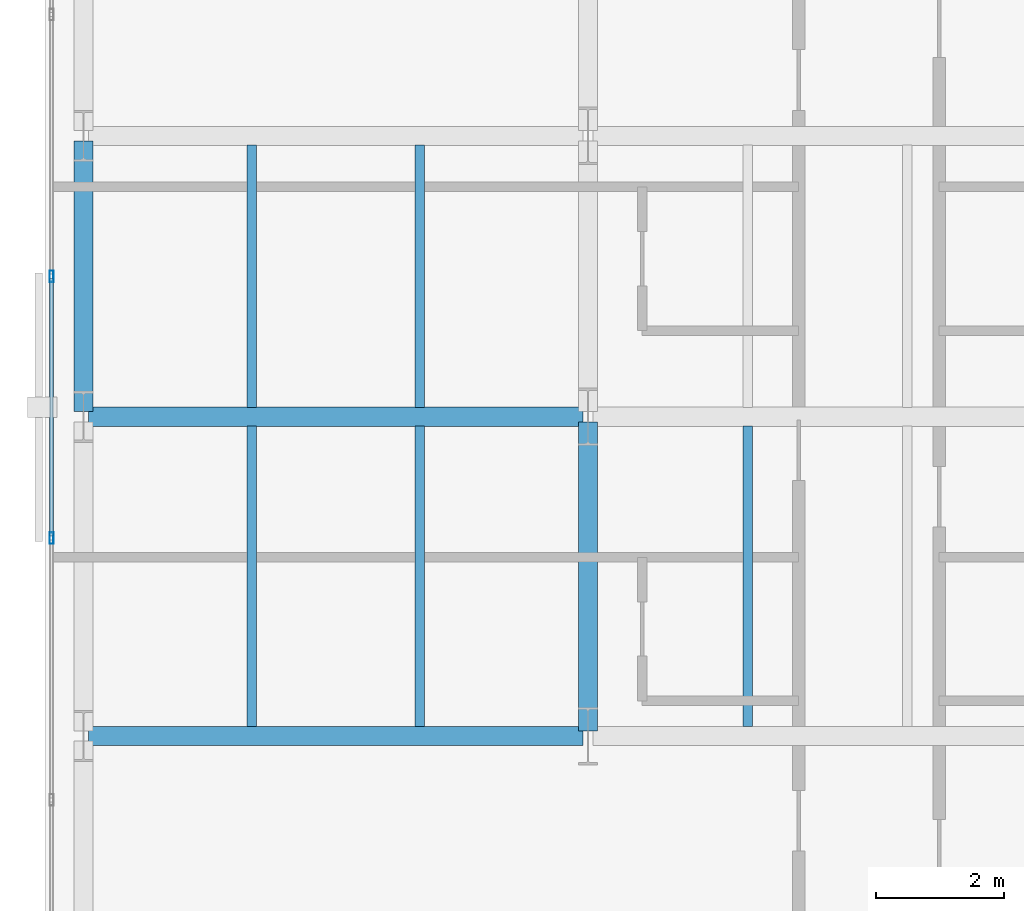
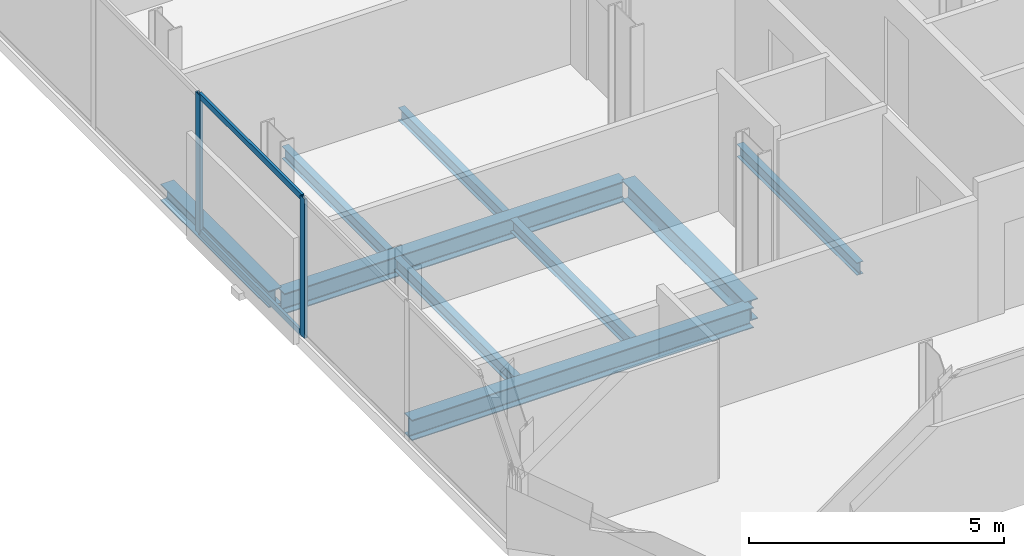
# One storey, part 5 of 33: 9 beams, 4 members, 1 element without a shape of its own.
"""IFC4 building model written with IfcOpenShell, lengths in metres."""

from ifc_helpers import new_model, si_unit, direction, frame, origin, origin_2d, place, context, subcontext, project, spatial, hollow_rectangle, i_section, extrude, material, layer, layer_set, material_profile, profile_set, type_object, element, aggregate, save


model = new_model("IFC4")

# Units and contexts
model_context = context("Model", 3, precision=1e-05, world=origin(), true_north=direction((0.0, 1.0)))
body_context = subcontext(model_context, "Body", "Model", "MODEL_VIEW")
ifc_project = project(units=[si_unit("LENGTHUNIT", "METRE"), si_unit("AREAUNIT", "SQUARE_METRE"), si_unit("VOLUMEUNIT", "CUBIC_METRE"), si_unit("PLANEANGLEUNIT", "RADIAN"), si_unit("MASSUNIT", "GRAM", prefix="KILO")], contexts=[model_context])

# Site, building, storey
site_placement = place(None, origin())
site = spatial("IfcSite", under=ifc_project, at=site_placement, CompositionType="ELEMENT")
building_placement = place(site_placement, origin())
building = spatial("IfcBuilding", under=site, at=building_placement, Name="Catumbela Crestline Tower", CompositionType="ELEMENT")
storey_placement = place(building_placement, frame((0.0, 0.0, 72.6)))
storey = spatial("IfcBuildingStorey", under=building, at=storey_placement, Name="L18", CompositionType="ELEMENT", Elevation=72.6)

# Beams
ifc_material_1 = material(Name="Structural steel S355J2", Category="steel")
ifc_material_profile_1 = material_profile(ifc_material_1, i_section(OverallWidth=0.3, OverallDepth=0.49, WebThickness=0.012, FlangeThickness=0.023, FilletRadius=0.027, at=origin_2d()), Name="HEA 500")
ifc_profile_set_1 = profile_set([ifc_material_profile_1], Name="Structural steel S355J2")
beam_type_1 = type_object("IfcBeamType", Name="BG-HEA500", PredefinedType="BEAM", material=ifc_profile_set_1)
for number, where, z_axis, x_axis, name in (
    (1, (0.68, 8.6, -0.505), (1.0, 0.0, 0.0), (0.0, 1.0, 0.0), "L18 Beam BM-L18-WEW48"),
    (2, (0.68, 13.6, -0.505), (1.0, 0.0, 0.0), (0.0, 1.0, 0.0), "L18 Beam BM-L18-WEW51"),
):
    element("IfcBeam", number, at=place(storey_placement, frame(where, z_axis=z_axis, x_axis=x_axis)), inside=storey, type_object=beam_type_1, Name=name, PredefinedType="BEAM", context=body_context, shape_type="SweptSolid", body=[
        extrude(i_section(OverallWidth=0.3, OverallDepth=0.49, WebThickness=0.012, FlangeThickness=0.023, FilletRadius=0.027, at=origin_2d()), origin(), (0.0, 0.0, 1.0), 7.74),
    ])
beam_1_placement = place(storey_placement, frame((8.5, 8.68, -0.505), z_axis=(0.0, 1.0, 0.0), x_axis=(-1.0, 0.0, 0.0)))
element("IfcBeam", 3, at=beam_1_placement, inside=storey, type_object=beam_type_1, Name="L18 Beam BM-L18-WNS61", PredefinedType="BEAM", context=body_context, shape_type="SweptSolid", body=[
    extrude(i_section(OverallWidth=0.3, OverallDepth=0.49, WebThickness=0.012, FlangeThickness=0.023, FilletRadius=0.027, at=origin_2d()), origin(), (0.0, 0.0, 1.0), 4.84),
])
ifc_material_profile_2 = material_profile(ifc_material_1, i_section(OverallWidth=0.15, OverallDepth=0.3, WebThickness=0.0071, FlangeThickness=0.0107, FilletRadius=0.015, at=origin_2d()), Name="IPE 300")
ifc_profile_set_2 = profile_set([ifc_material_profile_2], Name="Structural steel S355J2")
beam_type_2 = type_object("IfcBeamType", Name="BJ-IPE300", PredefinedType="JOIST", material=ifc_profile_set_2)
for number, where, z_axis, x_axis, name in (
    (4, (3.233, 8.747, -0.41), (0.0, 1.0, 0.0), (-1.0, 0.0, 0.0), "L18 Joist JS-L18-WG70"),
    (5, (5.867, 8.747, -0.41), (0.0, 1.0, 0.0), (-1.0, 0.0, 0.0), "L18 Joist JS-L18-WG71"),
    (6, (11.0, 8.747, -0.41), (0.0, 1.0, 0.0), (-1.0, 0.0, 0.0), "L18 Joist JS-L18-WG72"),
):
    element("IfcBeam", number, at=place(storey_placement, frame(where, z_axis=z_axis, x_axis=x_axis)), inside=storey, type_object=beam_type_2, Name=name, PredefinedType="JOIST", context=body_context, shape_type="SweptSolid", body=[
        extrude(i_section(OverallWidth=0.15, OverallDepth=0.3, WebThickness=0.0071, FlangeThickness=0.0107, FilletRadius=0.015, at=origin_2d()), origin(), (0.0, 0.0, 1.0), 4.706),
    ])
for number, where, z_axis, x_axis, name in (
    (7, (3.233, 13.747, -0.41), (0.0, 1.0, 0.0), (-1.0, 0.0, 0.0), "L18 Joist JS-L18-WG76"),
    (8, (5.867, 13.747, -0.41), (0.0, 1.0, 0.0), (-1.0, 0.0, 0.0), "L18 Joist JS-L18-WG77"),
):
    element("IfcBeam", number, at=place(storey_placement, frame(where, z_axis=z_axis, x_axis=x_axis)), inside=storey, type_object=beam_type_2, Name=name, PredefinedType="JOIST", context=body_context, shape_type="SweptSolid", body=[
        extrude(i_section(OverallWidth=0.15, OverallDepth=0.3, WebThickness=0.0071, FlangeThickness=0.0107, FilletRadius=0.015, at=origin_2d()), origin(), (0.0, 0.0, 1.0), 4.106),
    ])

# Curtain wall, members
ifc_material_2 = material(Name="Aluminium alloy AW-6060-T66", Category="aluminium")
ifc_layer = layer(ifc_material_2, 0.18, Name="Aluminium alloy AW-6060-T66")
ifc_layer_set = layer_set([ifc_layer], Name="Aluminium alloy AW-6060-T66")
curtain_wall_type = type_object("IfcCurtainWallType", Name="CWU-Z1", PredefinedType="USERDEFINED", material=ifc_layer_set)
curtain_wall_placement = place(storey_placement, origin())
curtain_wall = element("IfcCurtainWall", 9, at=curtain_wall_placement, inside=storey, type_object=curtain_wall_type, Name="L18 Unitised Curtain Wall CW-L18-E9S1", ObjectType="UNITISED", PredefinedType="USERDEFINED")
ifc_material_profile_3 = material_profile(ifc_material_2, hollow_rectangle(XDim=0.065, YDim=0.18, WallThickness=0.004, at=origin_2d()), Name="ALU 180x65x4")
ifc_profile_set_3 = profile_set([ifc_material_profile_3], Name="Aluminium alloy AW-6060-T66")
member_type_1 = type_object("IfcMemberType", Name="MUL-180X65", PredefinedType="MULLION", material=ifc_profile_set_3)
member_1_placement = place(storey_placement, frame((0.1, 15.8, 0.0), z_axis=(0.0, 0.0, 1.0), x_axis=(1.0, 0.0, 0.0)))
member_1 = element("IfcMember", 10, at=member_1_placement, type_object=member_type_1, Name="CWU-Z1 mullion 8", PredefinedType="MULLION", context=body_context, shape_type="SweptSolid", body=[
    extrude(hollow_rectangle(XDim=0.065, YDim=0.18, WallThickness=0.004, at=origin_2d()), origin(), (0.0, 0.0, 1.0), 3.33),
])
member_2_placement = place(storey_placement, frame((0.1, 11.7, 0.0), z_axis=(0.0, 0.0, 1.0), x_axis=(1.0, 0.0, 0.0)))
member_2 = element("IfcMember", 11, at=member_2_placement, type_object=member_type_1, Name="CWU-Z1 mullion 9", PredefinedType="MULLION", context=body_context, shape_type="SweptSolid", body=[
    extrude(hollow_rectangle(XDim=0.065, YDim=0.18, WallThickness=0.004, at=origin_2d()), origin(), (0.0, 0.0, 1.0), 3.33),
])

# Beam
ifc_material_profile_4 = material_profile(ifc_material_1, i_section(OverallWidth=0.3, OverallDepth=0.4, WebThickness=0.0135, FlangeThickness=0.024, FilletRadius=0.027, at=origin_2d()), Name="HEB 400")
ifc_profile_set_4 = profile_set([ifc_material_profile_4], Name="Structural steel S355J2")
beam_type_3 = type_object("IfcBeamType", Name="BS-HEB400", PredefinedType="SPANDREL", material=ifc_profile_set_4)
beam_2_placement = place(storey_placement, frame((0.6, 13.68, -0.46), z_axis=(0.0, 1.0, 0.0), x_axis=(-1.0, 0.0, 0.0)))
element("IfcBeam", 12, at=beam_2_placement, inside=storey, type_object=beam_type_3, Name="L18 Spandrel SP-L18-WNS59", PredefinedType="SPANDREL", context=body_context, shape_type="SweptSolid", body=[
    extrude(i_section(OverallWidth=0.3, OverallDepth=0.4, WebThickness=0.0135, FlangeThickness=0.024, FilletRadius=0.027, at=origin_2d()), origin(), (0.0, 0.0, 1.0), 4.24),
])

# Member
ifc_material_profile_5 = material_profile(ifc_material_2, hollow_rectangle(XDim=0.06, YDim=0.14, WallThickness=0.004, at=origin_2d()), Name="ALU 140x60x4")
ifc_profile_set_5 = profile_set([ifc_material_profile_5], Name="Aluminium alloy AW-6060-T66")
member_type_2 = type_object("IfcMemberType", Name="TRN-140X60", PredefinedType="USERDEFINED", material=ifc_profile_set_5)
member_3_placement = place(storey_placement, frame((0.1, 15.7675, 0.03), z_axis=(0.0, -1.0, 0.0), x_axis=(1.0, 0.0, 0.0)))
member_3 = element("IfcMember", 13, at=member_3_placement, type_object=member_type_2, Name="CWU-Z1 transom 8.1", ObjectType="TRANSOM", PredefinedType="USERDEFINED", context=body_context, shape_type="SweptSolid", body=[
    extrude(hollow_rectangle(XDim=0.06, YDim=0.14, WallThickness=0.004, at=origin_2d()), origin(), (0.0, 0.0, 1.0), 4.035),
])

member_4_placement = place(storey_placement, frame((0.1, 15.7675, 3.3), z_axis=(0.0, -1.0, 0.0), x_axis=(1.0, 0.0, 0.0)))
member_4 = element("IfcMember", 14, at=member_4_placement, type_object=member_type_2, Name="CWU-Z1 transom 8.2", ObjectType="TRANSOM", PredefinedType="USERDEFINED", context=body_context, shape_type="SweptSolid", body=[
    extrude(hollow_rectangle(XDim=0.06, YDim=0.14, WallThickness=0.004, at=origin_2d()), origin(), (0.0, 0.0, 1.0), 4.035),
])

aggregate(curtain_wall, [member_1, member_2, member_3, member_4])

save(model, "model.ifc")
